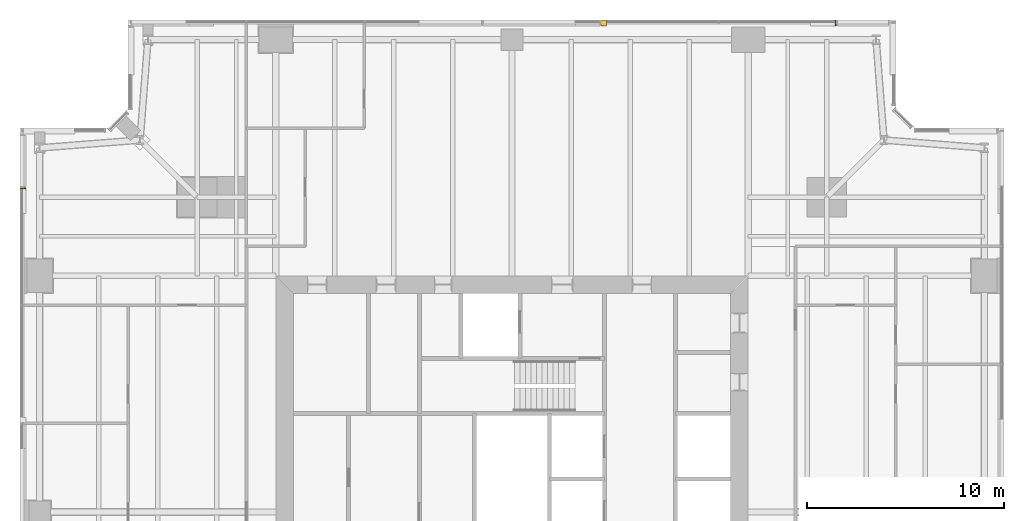
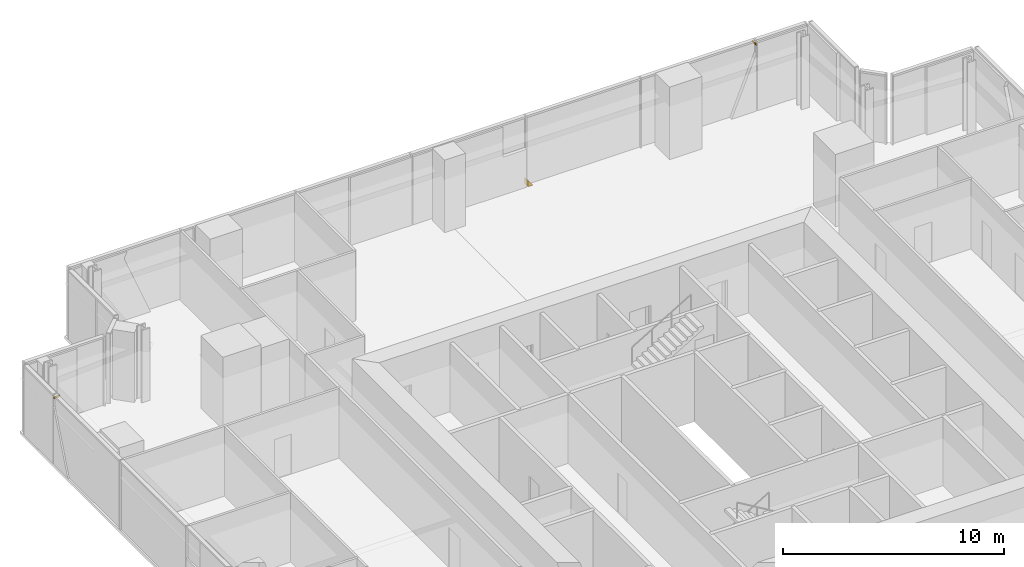
# One storey, part 16 of 16: 3 coverings.
"""IFC4 building model written with IfcOpenShell, lengths in metres."""

from ifc_helpers import new_model, si_unit, direction, frame, origin, place, context, subcontext, project, spatial, polyline, outline, extrude, material, layer, layer_set, type_object, element, save


model = new_model("IFC4")

# Units and contexts
model_context = context("Model", 3, precision=1e-05, world=origin(), true_north=direction((0.0, 1.0)))
body_context = subcontext(model_context, "Body", "Model", "MODEL_VIEW")
ifc_project = project(units=[si_unit("LENGTHUNIT", "METRE"), si_unit("AREAUNIT", "SQUARE_METRE"), si_unit("VOLUMEUNIT", "CUBIC_METRE"), si_unit("PLANEANGLEUNIT", "RADIAN"), si_unit("MASSUNIT", "GRAM", prefix="KILO")], contexts=[model_context])

# Site, building, storey
site_placement = place(None, origin())
site = spatial("IfcSite", under=ifc_project, at=site_placement, CompositionType="ELEMENT")
building_placement = place(site_placement, origin())
building = spatial("IfcBuilding", under=site, at=building_placement, Name="Fenwick Lantern Interchange", CompositionType="ELEMENT")
storey_placement = place(building_placement, frame((0.0, 0.0, 213.800048828125)))
storey = spatial("IfcBuildingStorey", under=building, at=storey_placement, Name="L50", CompositionType="ELEMENT", Elevation=213.800048828125)

# Coverings
ifc_material = material(Name="Granite cladding, warm grey flamed finish, on aluminium carrier frame", Category="masonry")
ifc_layer = layer(ifc_material, 0.300048828125)
ifc_layer_set = layer_set([ifc_layer], Name="BRACE CASING PANEL 300")
covering_type = type_object("IfcCoveringType", Name="BRACE CASING PANEL 300", PredefinedType="CLADDING", material=ifc_layer_set)
covering_1_placement = place(storey_placement, frame((44.39990234375, 49.89990234375, 3.608154296875), z_axis=(0.0, 0.0, 1.0), x_axis=(-1.0, 0.0, 0.0)))
element("IfcCovering", 1, at=covering_1_placement, inside=storey, type_object=covering_type, Name="Brace casing 09 bay 01b", PredefinedType="CLADDING", context=body_context, shape_type="SweptSolid", body=[
    extrude(outline(polyline([(2.9326171875, 0.0), (2.990478515625, 0.141845703125), (2.9326171875, 0.141845703125), (2.9326171875, 0.0)])), frame((0.0, 0.2001953125, 0.0), z_axis=(0.0, -1.0, 0.0), x_axis=(1.0, 0.0, 0.0)), (0.0, 0.0, 1.0), 0.300048828125),
])
covering_2_placement = place(storey_placement, frame((44.39990234375, 49.89990234375, 0.0), z_axis=(0.0, 0.0, 1.0), x_axis=(-1.0, 0.0, 0.0)))
element("IfcCovering", 2, at=covering_2_placement, inside=storey, type_object=covering_type, Name="Brace casing 09 bay 02a", PredefinedType="CLADDING", context=body_context, shape_type="SweptSolid", body=[
    extrude(outline(polyline([(14.6044921875, 0.0), (14.867431640625, 0.0), (14.867431640625, 0.3505859375), (14.6044921875, 0.0)])), frame((0.0, 0.2001953125, 0.0), z_axis=(0.0, -1.0, 0.0), x_axis=(1.0, 0.0, 0.0)), (0.0, 0.0, 1.0), 0.300048828125),
])
covering_3_placement = place(storey_placement, frame((0.10009765625, 44.39990234375, 3.608154296875), z_axis=(0.0, 0.0, 1.0), x_axis=(0.0, -1.0, 0.0)))
element("IfcCovering", 3, at=covering_3_placement, inside=storey, type_object=covering_type, Name="Brace casing 13 bay 01b", PredefinedType="CLADDING", context=body_context, shape_type="SweptSolid", body=[
    extrude(outline(polyline([(2.9326171875, 0.0), (2.990478515625, 0.141845703125), (2.9326171875, 0.141845703125), (2.9326171875, 0.0)])), frame((0.0, 0.2001953125, 0.0), z_axis=(0.0, -1.0, 0.0), x_axis=(1.0, 0.0, 0.0)), (0.0, 0.0, 1.0), 0.300048828125),
])

save(model, "model.ifc")
